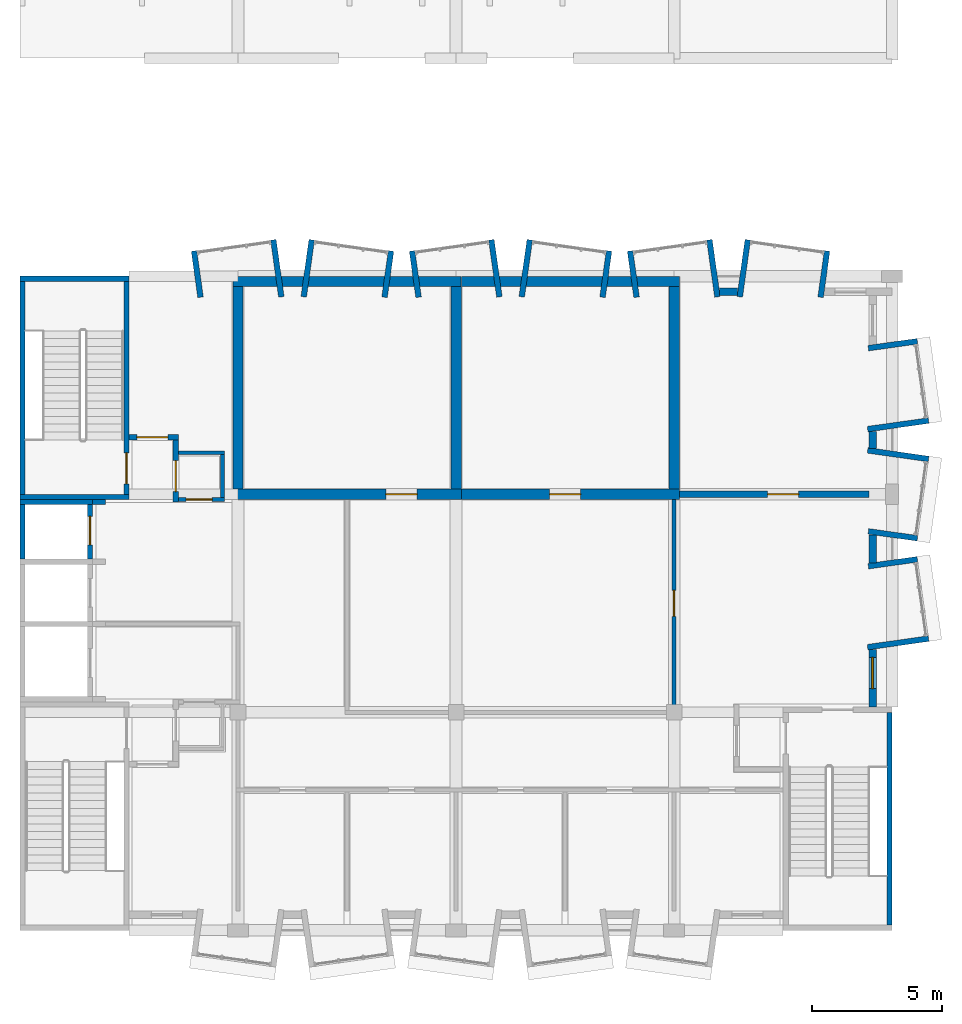
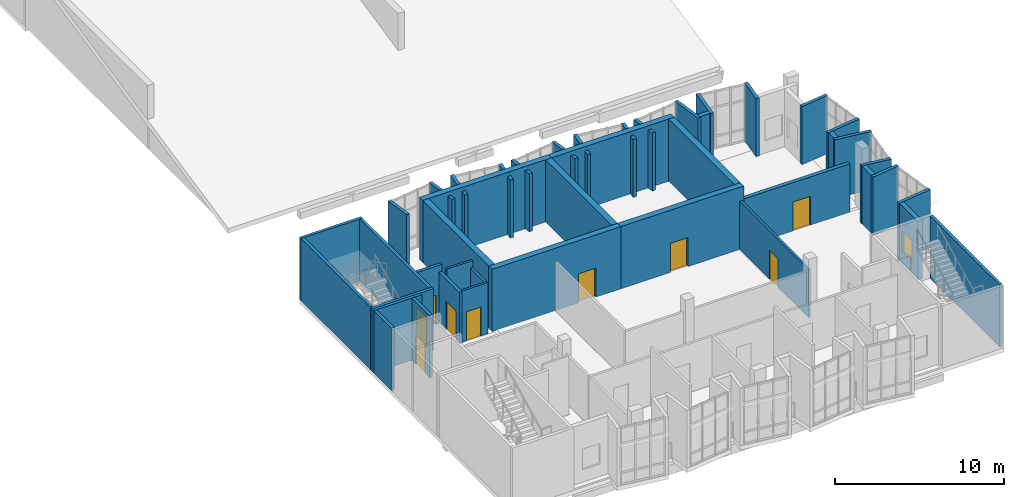
# One storey, part 12 of 19: 45 walls, 9 doors, 1 window, 10 openings.
"""IFC4 building model written with IfcOpenShell, lengths in metres."""

from ifc_helpers import new_model, si_unit, direction, frame, frame_2d, origin, place, context, subcontext, project, spatial, rectangle, extrude, material, layer, layer_set, type_object, element, fill, save


model = new_model("IFC4")

# Units and contexts
model_context = context("Model", 3, precision=1e-05, world=origin(), true_north=direction((0.0, 1.0)))
body_context = subcontext(model_context, "Body", "Model", "MODEL_VIEW")
ifc_project = project(units=[si_unit("LENGTHUNIT", "METRE"), si_unit("AREAUNIT", "SQUARE_METRE"), si_unit("VOLUMEUNIT", "CUBIC_METRE"), si_unit("PLANEANGLEUNIT", "RADIAN"), si_unit("MASSUNIT", "GRAM", prefix="KILO")], contexts=[model_context])

# Site, building, storey
site_placement = place(None, origin())
site = spatial("IfcSite", under=ifc_project, at=site_placement, CompositionType="ELEMENT")
building_placement = place(site_placement, origin())
building = spatial("IfcBuilding", under=site, at=building_placement, Name="Kiln Court Media Centre", CompositionType="ELEMENT")
storey_placement = place(building_placement, frame((0.0, 0.0, 29.10009765625)))
storey = spatial("IfcBuildingStorey", under=building, at=storey_placement, Name="L06", CompositionType="ELEMENT", Elevation=29.10009765625)

# Walls
ifc_material_1 = material(Name="Concrete block masonry M10", Category="masonry")
ifc_layer_1 = layer(ifc_material_1, 0.14990234375)
ifc_layer_set_1 = layer_set([ifc_layer_1], Name="Block riser wall 150 EI 120")
wall_type_1 = type_object("IfcWallType", Name="Block riser wall 150 EI 120", PredefinedType="SOLIDWALL", material=ifc_layer_set_1)
wall_1_placement = place(storey_placement, frame((6.10009765625, 18.39990234375, 0.0), z_axis=(0.0, 0.0, 1.0), x_axis=(1.0, 0.0, 0.0)))
element("IfcWall", 1, at=wall_1_placement, inside=storey, type_object=wall_type_1, Name="L06 block riser wall", PredefinedType="SOLIDWALL", context=body_context, shape_type="SweptSolid", body=[
    extrude(rectangle(XDim=1.77490234375, YDim=0.14990234375, at=frame_2d((0.887451171875, 0.0))), origin(), (0.0, 0.0, 1.0), 4.199951171875),
])
wall_2_placement = place(storey_placement, frame((7.800048828125, 16.675048828125, 0.0), z_axis=(0.0, 0.0, 1.0), x_axis=(0.0, 1.0, 0.0)))
element("IfcWall", 2, at=wall_2_placement, inside=storey, type_object=wall_type_1, Name="L06 block riser wall", PredefinedType="SOLIDWALL", context=body_context, shape_type="SweptSolid", body=[
    extrude(rectangle(XDim=1.64990234375, YDim=0.14990234375, at=frame_2d((0.824951171875, 0.0))), origin(), (0.0, 0.0, 1.0), 3.699951171875),
])

# Wall, opening, door
ifc_material_2 = material(Name="Concrete block masonry M10", Category="masonry")
ifc_layer_2 = layer(ifc_material_2, 0.199951171875)
ifc_layer_set_2 = layer_set([ifc_layer_2], Name="Block vestibule wall 200 EI 240")
wall_type_2 = type_object("IfcWallType", Name="Block vestibule wall 200 EI 240", PredefinedType="SOLIDWALL", material=ifc_layer_set_2)
wall_3_placement = place(storey_placement, frame((4.2001953125, 19.0, 0.0), z_axis=(0.0, 0.0, 1.0), x_axis=(1.0, 0.0, 0.0)))
wall_3 = element("IfcWall", 3, at=wall_3_placement, inside=storey, type_object=wall_type_2, Name="L06 block vestibule wall", PredefinedType="SOLIDWALL", context=body_context, shape_type="SweptSolid", body=[
    extrude(rectangle(XDim=1.89990234375, YDim=0.199951171875, at=frame_2d((0.949951171875, 0.0))), origin(), (0.0, 0.0, 1.0), 4.199951171875),
])
opening_1_placement = place(wall_3_placement, frame((0.2998046875, 0.0, 0.0)))
opening_1 = element("IfcOpeningElement", 4, at=opening_1_placement, cuts=wall_3, Name="Opening D6012", PredefinedType="OPENING", context=body_context, shape_type="SweptSolid", body=[
    extrude(rectangle(XDim=1.199951171875, YDim=2.10009765625, at=frame_2d((0.60009765625, 1.050048828125))), frame((0.0, 0.10986328125, 0.0), z_axis=(0.0, -1.0, 0.0), x_axis=(1.0, 0.0, 0.0)), (0.0, 0.0, 1.0), 0.219970703125),
])
ifc_material_3 = material(Name="Steel S275", Category="steel")
door_type_1 = type_object("IfcDoorType", Name="Steel vestibule door 1200 x 2100 FD180", OperationType="SINGLE_SWING_LEFT", PredefinedType="DOOR", material=ifc_material_3)
door_1_placement = place(opening_1_placement, origin())
door_1 = element("IfcDoor", 5, at=door_1_placement, inside=storey, type_object=door_type_1, Name="Cleaners' Store and Riser / Stair 2 Vestibule", OperationType="SINGLE_SWING_LEFT", OverallHeight=2.10009765625, OverallWidth=1.199951171875, PredefinedType="DOOR", context=body_context, shape_type="SweptSolid", body=[
    extrude(rectangle(XDim=1.199951171875, YDim=2.10009765625, at=frame_2d((0.60009765625, 1.050048828125))), frame((0.0, 0.02490234375, 0.0), z_axis=(0.0, -1.0, 0.0), x_axis=(1.0, 0.0, 0.0)), (0.0, 0.0, 1.0), 0.050048828125),
])
fill(opening_1, door_1)

wall_4_placement = place(storey_placement, frame((6.0, 16.5, 0.0), z_axis=(0.0, 0.0, 1.0), x_axis=(0.0, 1.0, 0.0)))
wall_4 = element("IfcWall", 6, at=wall_4_placement, inside=storey, type_object=wall_type_2, Name="L06 block vestibule wall", PredefinedType="SOLIDWALL", context=body_context, shape_type="SweptSolid", body=[
    extrude(rectangle(XDim=2.39990234375, YDim=0.199951171875, at=frame_2d((1.199951171875, 0.0))), origin(), (0.0, 0.0, 1.0), 3.699951171875),
])
opening_2_placement = place(wall_4_placement, frame((0.39990234375, 0.0, 0.0)))
opening_2 = element("IfcOpeningElement", 7, at=opening_2_placement, cuts=wall_4, Name="Opening D6013", PredefinedType="OPENING", context=body_context, shape_type="SweptSolid", body=[
    extrude(rectangle(XDim=1.199951171875, YDim=2.10009765625, at=frame_2d((0.60009765625, 1.050048828125))), frame((0.0, 0.10986328125, 0.0), z_axis=(0.0, -1.0, 0.0), x_axis=(1.0, 0.0, 0.0)), (0.0, 0.0, 1.0), 0.219970703125),
])
door_2_placement = place(opening_2_placement, origin())
door_2 = element("IfcDoor", 8, at=door_2_placement, inside=storey, type_object=door_type_1, Name="Stair 2 Vestibule / Wheelchair Refuge", OperationType="SINGLE_SWING_RIGHT", OverallHeight=2.10009765625, OverallWidth=1.199951171875, PredefinedType="DOOR", context=body_context, shape_type="SweptSolid", body=[
    extrude(rectangle(XDim=1.199951171875, YDim=2.10009765625, at=frame_2d((0.60009765625, 1.050048828125))), frame((0.0, 0.02490234375, 0.0), z_axis=(0.0, -1.0, 0.0), x_axis=(1.0, 0.0, 0.0)), (0.0, 0.0, 1.0), 0.050048828125),
])
fill(opening_2, door_2)

# Walls
ifc_material_4 = material(Name="Brick masonry facing leaf with RC backing", Category="masonry")
ifc_layer_3 = layer(ifc_material_4, 0.215087890625)
ifc_layer_set_3 = layer_set([ifc_layer_3], Name="Brick masonry bay cheek wall 215")
wall_type_3 = type_object("IfcWallType", Name="Brick masonry bay cheek wall 215", PredefinedType="SOLIDWALL", material=ifc_layer_set_3)
wall_5_placement = place(storey_placement, frame((32.655029296875, 10.909423828125, 0.0), z_axis=(0.0, 0.0, 1.0), x_axis=(0.990262124675, 0.139215388641, 0.0)))
element("IfcWall", 9, at=wall_5_placement, inside=storey, type_object=wall_type_3, Name="BAY V6A-E-L06-09 cheek L", PredefinedType="SOLIDWALL", context=body_context, shape_type="SweptSolid", body=[
    extrude(rectangle(XDim=2.37109375, YDim=0.215087890625, at=frame_2d((1.185546875, 0.0))), origin(), (0.0, 0.0, 1.0), 4.199951171875),
])
for number, where, z_axis, x_axis, name in (
    (10, (32.68505859375, 14.029052734375, 0.0), (0.0, 0.0, 1.0), (0.990269539441, 0.139162635989, 0.0), "BAY V6A-E-L06-09 cheek R"),
    (11, (32.68505859375, 15.370849609375, 0.0), (0.0, 0.0, 1.0), (0.990269539441, -0.139162635989, 0.0), "BAY V6A-E-L06-10 cheek L"),
):
    element("IfcWall", number, at=place(storey_placement, frame(where, z_axis=z_axis, x_axis=x_axis)), inside=storey, type_object=wall_type_3, Name=name, PredefinedType="SOLIDWALL", context=body_context, shape_type="SweptSolid", body=[
        extrude(rectangle(XDim=1.906982421875, YDim=0.215087890625, at=frame_2d((0.95361328125, 0.0))), origin(), (0.0, 0.0, 1.0), 4.199951171875),
    ])
wall_6_placement = place(storey_placement, frame((32.655029296875, 18.490478515625, 0.0), z_axis=(0.0, 0.0, 1.0), x_axis=(0.990262124675, -0.139215388641, 0.0)))
element("IfcWall", 12, at=wall_6_placement, inside=storey, type_object=wall_type_3, Name="BAY V6A-E-L06-10 cheek R", PredefinedType="SOLIDWALL", context=body_context, shape_type="SweptSolid", body=[
    extrude(rectangle(XDim=2.37109375, YDim=0.215087890625, at=frame_2d((1.185546875, 0.0))), origin(), (0.0, 0.0, 1.0), 4.199951171875),
])
wall_7_placement = place(storey_placement, frame((32.655029296875, 19.3095703125, 0.0), z_axis=(0.0, 0.0, 1.0), x_axis=(0.990276315141, 0.139114412161, 0.0)))
element("IfcWall", 13, at=wall_7_placement, inside=storey, type_object=wall_type_3, Name="BAY V6A-E-L06-11 cheek L", PredefinedType="SOLIDWALL", context=body_context, shape_type="SweptSolid", body=[
    extrude(rectangle(XDim=2.370849609375, YDim=0.215087890625, at=frame_2d((1.185546875, 0.0))), origin(), (0.0, 0.0, 1.0), 4.199951171875),
])
wall_8_placement = place(storey_placement, frame((32.68505859375, 22.42919921875, 0.0), z_axis=(0.0, 0.0, 1.0), x_axis=(0.990269539441, 0.139162635989, 0.0)))
element("IfcWall", 14, at=wall_8_placement, inside=storey, type_object=wall_type_3, Name="BAY V6A-E-L06-11 cheek R", PredefinedType="SOLIDWALL", context=body_context, shape_type="SweptSolid", body=[
    extrude(rectangle(XDim=1.906982421875, YDim=0.215087890625, at=frame_2d((0.95361328125, 0.0))), origin(), (0.0, 0.0, 1.0), 4.199951171875),
])
wall_9_placement = place(storey_placement, frame((6.9560546875, 24.39111328125, 0.0), z_axis=(0.0, 0.0, 1.0), x_axis=(-0.139161311926, 0.990269725511, 0.0)))
element("IfcWall", 15, at=wall_9_placement, inside=storey, type_object=wall_type_3, Name="BAY V6A-N-L06-38 cheek L", PredefinedType="SOLIDWALL", context=body_context, shape_type="SweptSolid", body=[
    extrude(rectangle(XDim=1.800048828125, YDim=0.215087890625, at=frame_2d((0.89990234375, 0.0))), origin(), (0.0, 0.0, 1.0), 4.199951171875),
])
for number, where, z_axis, x_axis, name in (
    (16, (10.0693359375, 24.405029296875, 0.0), (0.0, 0.0, 1.0), (-0.139141913905, 0.990272451295, 0.0), "BAY V6A-N-L06-38 cheek R"),
    (17, (10.9306640625, 24.405029296875, 0.0), (0.0, 0.0, 1.0), (0.139141913905, 0.990272451295, 0.0), "BAY V6A-N-L06-39 cheek L"),
):
    element("IfcWall", number, at=place(storey_placement, frame(where, z_axis=z_axis, x_axis=x_axis)), inside=storey, type_object=wall_type_3, Name=name, PredefinedType="SOLIDWALL", context=body_context, shape_type="SweptSolid", body=[
        extrude(rectangle(XDim=2.219482421875, YDim=0.215087890625, at=frame_2d((1.10986328125, 0.0))), origin(), (0.0, 0.0, 1.0), 4.199951171875),
    ])
for number, where, z_axis, x_axis, name in (
    (18, (14.0439453125, 24.39111328125, 0.0), (0.0, 0.0, 1.0), (0.139161311926, 0.990269725511, 0.0), "BAY V6A-N-L06-39 cheek R"),
    (19, (15.35595703125, 24.39111328125, 0.0), (0.0, 0.0, 1.0), (-0.139161311926, 0.990269725511, 0.0), "BAY V6A-N-L06-40 cheek L"),
):
    element("IfcWall", number, at=place(storey_placement, frame(where, z_axis=z_axis, x_axis=x_axis)), inside=storey, type_object=wall_type_3, Name=name, PredefinedType="SOLIDWALL", context=body_context, shape_type="SweptSolid", body=[
        extrude(rectangle(XDim=1.800048828125, YDim=0.215087890625, at=frame_2d((0.89990234375, 0.0))), origin(), (0.0, 0.0, 1.0), 4.199951171875),
    ])
wall_10_placement = place(storey_placement, frame((18.469482421875, 24.405029296875, 0.0), z_axis=(0.0, 0.0, 1.0), x_axis=(-0.139249775508, 0.99025728981, 0.0)))
element("IfcWall", 20, at=wall_10_placement, inside=storey, type_object=wall_type_3, Name="BAY V6A-N-L06-40 cheek R", PredefinedType="SOLIDWALL", context=body_context, shape_type="SweptSolid", body=[
    extrude(rectangle(XDim=2.2197265625, YDim=0.215087890625, at=frame_2d((1.10986328125, 0.0))), origin(), (0.0, 0.0, 1.0), 4.199951171875),
])
wall_11_placement = place(storey_placement, frame((19.33056640625, 24.405029296875, 0.0), z_axis=(0.0, 0.0, 1.0), x_axis=(0.139141913905, 0.990272451295, 0.0)))
element("IfcWall", 21, at=wall_11_placement, inside=storey, type_object=wall_type_3, Name="BAY V6A-N-L06-41 cheek L", PredefinedType="SOLIDWALL", context=body_context, shape_type="SweptSolid", body=[
    extrude(rectangle(XDim=2.219482421875, YDim=0.215087890625, at=frame_2d((1.10986328125, 0.0))), origin(), (0.0, 0.0, 1.0), 4.199951171875),
])
for number, where, z_axis, x_axis, name in (
    (22, (22.444091796875, 24.39111328125, 0.0), (0.0, 0.0, 1.0), (0.139161311926, 0.990269725511, 0.0), "BAY V6A-N-L06-41 cheek R"),
    (23, (23.756103515625, 24.39111328125, 0.0), (0.0, 0.0, 1.0), (-0.139161311926, 0.990269725511, 0.0), "BAY V6A-N-L06-42 cheek L"),
):
    element("IfcWall", number, at=place(storey_placement, frame(where, z_axis=z_axis, x_axis=x_axis)), inside=storey, type_object=wall_type_3, Name=name, PredefinedType="SOLIDWALL", context=body_context, shape_type="SweptSolid", body=[
        extrude(rectangle(XDim=1.800048828125, YDim=0.215087890625, at=frame_2d((0.89990234375, 0.0))), origin(), (0.0, 0.0, 1.0), 4.199951171875),
    ])
for number, where, z_axis, x_axis, name in (
    (24, (26.869384765625, 24.405029296875, 0.0), (0.0, 0.0, 1.0), (-0.139141913905, 0.990272451295, 0.0), "BAY V6A-N-L06-42 cheek R"),
    (25, (27.730712890625, 24.405029296875, 0.0), (0.0, 0.0, 1.0), (0.139141913905, 0.990272451295, 0.0), "BAY V6A-N-L06-43 cheek L"),
):
    element("IfcWall", number, at=place(storey_placement, frame(where, z_axis=z_axis, x_axis=x_axis)), inside=storey, type_object=wall_type_3, Name=name, PredefinedType="SOLIDWALL", context=body_context, shape_type="SweptSolid", body=[
        extrude(rectangle(XDim=2.219482421875, YDim=0.215087890625, at=frame_2d((1.10986328125, 0.0))), origin(), (0.0, 0.0, 1.0), 4.199951171875),
    ])
wall_12_placement = place(storey_placement, frame((30.843994140625, 24.39111328125, 0.0), z_axis=(0.0, 0.0, 1.0), x_axis=(0.139161311926, 0.990269725511, 0.0)))
element("IfcWall", 26, at=wall_12_placement, inside=storey, type_object=wall_type_3, Name="BAY V6A-N-L06-43 cheek R", PredefinedType="SOLIDWALL", context=body_context, shape_type="SweptSolid", body=[
    extrude(rectangle(XDim=1.800048828125, YDim=0.215087890625, at=frame_2d((0.89990234375, 0.0))), origin(), (0.0, 0.0, 1.0), 4.199951171875),
])

# Wall, opening, window
ifc_material_5 = material(Name="Brick masonry facing leaf with RC backing", Category="masonry")
ifc_layer_4 = layer(ifc_material_5, 0.300048828125)
ifc_layer_set_4 = layer_set([ifc_layer_4], Name="Brick masonry cavity wall 300")
wall_type_4 = type_object("IfcWallType", Name="Brick masonry cavity wall 300", PredefinedType="SOLIDWALL", material=ifc_layer_set_4)
wall_13_placement = place(storey_placement, frame((32.85009765625, 10.828369140625, 0.0), z_axis=(0.0, 0.0, 1.0), x_axis=(0.0, -1.0, 0.0)))
wall_13 = element("IfcWall", 27, at=wall_13_placement, inside=storey, type_object=wall_type_4, Name="V6A-E facade L06 3006", PredefinedType="SOLIDWALL", context=body_context, shape_type="SweptSolid", body=[
    extrude(rectangle(XDim=2.228271484375, YDim=0.300048828125, at=frame_2d((1.1142578125, 0.0))), origin(), (0.0, 0.0, 1.0), 4.199951171875),
])
opening_3_placement = place(wall_13_placement, frame((0.314208984375, 0.0, 0.89990234375)))
opening_3 = element("IfcOpeningElement", 28, at=opening_3_placement, cuts=wall_13, Name="Opening WN6001", PredefinedType="OPENING", context=body_context, shape_type="SweptSolid", body=[
    extrude(rectangle(XDim=1.199951171875, YDim=1.5, at=frame_2d((0.60009765625, 0.75))), frame((0.0, 0.159912109375, 0.0), z_axis=(0.0, -1.0, 0.0), x_axis=(1.0, 0.0, 0.0)), (0.0, 0.0, 1.0), 0.320068359375),
])
ifc_material_6 = material(Name="Aluminium 6063-T6", Category="aluminium")
window_type = type_object("IfcWindowType", Name="Aluminium window 1200x1500", PartitioningType="DOUBLE_PANEL_VERTICAL", PredefinedType="WINDOW", material=ifc_material_6)
window_placement = place(opening_3_placement, origin())
window = element("IfcWindow", 29, at=window_placement, inside=storey, type_object=window_type, Name="WB window WN6001", OverallHeight=1.5, OverallWidth=1.199951171875, PartitioningType="SINGLE_PANEL", PredefinedType="WINDOW", context=body_context, shape_type="SweptSolid", body=[
    extrude(rectangle(XDim=1.199951171875, YDim=1.5, at=frame_2d((0.60009765625, 0.75))), frame((0.0, 0.030029296875, 0.0), z_axis=(0.0, -1.0, 0.0), x_axis=(1.0, 0.0, 0.0)), (0.0, 0.0, 1.0), 0.06005859375),
])
fill(opening_3, window)

# Walls
wall_14_placement = place(storey_placement, frame((32.85009765625, 15.2392578125, 0.0), z_axis=(0.0, 0.0, 1.0), x_axis=(0.0, -1.0, 0.0)))
element("IfcWall", 30, at=wall_14_placement, inside=storey, type_object=wall_type_4, Name="V6A-E facade L06 3007", PredefinedType="SOLIDWALL", context=body_context, shape_type="SweptSolid", body=[
    extrude(rectangle(XDim=1.078369140625, YDim=0.300048828125, at=frame_2d((0.5390625, 0.0))), origin(), (0.0, 0.0, 1.0), 4.199951171875),
])
wall_15_placement = place(storey_placement, frame((32.85009765625, 19.228515625, 0.0), z_axis=(0.0, 0.0, 1.0), x_axis=(0.0, -1.0, 0.0)))
element("IfcWall", 31, at=wall_15_placement, inside=storey, type_object=wall_type_4, Name="V6A-E facade L06 3008", PredefinedType="SOLIDWALL", context=body_context, shape_type="SweptSolid", body=[
    extrude(rectangle(XDim=0.656982421875, YDim=0.300048828125, at=frame_2d((0.32861328125, 0.0))), origin(), (0.0, 0.0, 1.0), 4.199951171875),
])
wall_16_placement = place(storey_placement, frame((26.950439453125, 24.60009765625, 0.0), z_axis=(0.0, 0.0, 1.0), x_axis=(1.0, 0.0, 0.0)))
element("IfcWall", 32, at=wall_16_placement, inside=storey, type_object=wall_type_4, Name="V6A-N facade L06 3022", PredefinedType="SOLIDWALL", context=body_context, shape_type="SweptSolid", body=[
    extrude(rectangle(XDim=0.698974609375, YDim=0.300048828125, at=frame_2d((0.349609375, 0.0))), origin(), (0.0, 0.0, 1.0), 4.199951171875),
])
ifc_material_7 = material(Name="Concrete C40/50", Category="concrete")
ifc_layer_5 = layer(ifc_material_7, 0.199951171875)
ifc_layer_set_5 = layer_set([ifc_layer_5], Name="Concrete C40/50 shear wall 200")
wall_type_5 = type_object("IfcWallType", Name="Concrete C40/50 shear wall 200", PredefinedType="SHEAR", material=ifc_layer_set_5)
for number, where, z_axis, x_axis, name in (
    (33, (4.199951171875, 16.699951171875, 0.0), (0.0, 0.0, 1.0), (-1.0, 0.0, 0.0), "L06-W-1004"),
    (34, (0.00048828125, 25.10009765625, 0.0), (0.0, 0.0, 1.0), (1.0, 0.0, 0.0), "L06-W-1005"),
):
    element("IfcWall", number, at=place(storey_placement, frame(where, z_axis=z_axis, x_axis=x_axis)), inside=storey, type_object=wall_type_5, Name=name, PredefinedType="SHEAR", context=body_context, shape_type="SweptSolid", body=[
        extrude(rectangle(XDim=4.199462890625, YDim=0.199951171875, at=frame_2d((2.099609375, 0.0))), origin(), (0.0, 0.0, 1.0), 4.5),
    ])
wall_17_placement = place(storey_placement, frame((0.100341796875, 16.800048828125, 0.0), z_axis=(0.0, 0.0, 1.0), x_axis=(0.0, 1.0, 0.0)))
element("IfcWall", 35, at=wall_17_placement, inside=storey, type_object=wall_type_5, Name="L06-W-1006", PredefinedType="SHEAR", context=body_context, shape_type="SweptSolid", body=[
    extrude(rectangle(XDim=8.199951171875, YDim=0.199951171875, at=frame_2d((4.10009765625, 0.0))), origin(), (0.0, 0.0, 1.0), 4.5),
])

# Wall, opening, door
wall_18_placement = place(storey_placement, frame((4.10009765625, 25.0, 0.0), z_axis=(0.0, 0.0, 1.0), x_axis=(0.0, -1.0, 0.0)))
wall_18 = element("IfcWall", 36, at=wall_18_placement, inside=storey, type_object=wall_type_5, Name="L06-W-1007", PredefinedType="SHEAR", context=body_context, shape_type="SweptSolid", body=[
    extrude(rectangle(XDim=8.199951171875, YDim=0.199951171875, at=frame_2d((4.10009765625, 0.0))), origin(), (0.0, 0.0, 1.0), 4.5),
])
opening_4_placement = place(wall_18_placement, frame((6.60009765625, 0.0, 0.0)))
opening_4 = element("IfcOpeningElement", 37, at=opening_4_placement, cuts=wall_18, Name="Opening D6005", PredefinedType="OPENING", context=body_context, shape_type="SweptSolid", body=[
    extrude(rectangle(XDim=1.199951171875, YDim=2.10009765625, at=frame_2d((0.60009765625, 1.050048828125))), frame((0.0, 0.10986328125, 0.0), z_axis=(0.0, -1.0, 0.0), x_axis=(1.0, 0.0, 0.0)), (0.0, 0.0, 1.0), 0.219970703125),
])
ifc_material_8 = material(Name="Steel S275", Category="steel")
door_type_2 = type_object("IfcDoorType", Name="Steel stair door 1200 x 2100 FD180", OperationType="SINGLE_SWING_LEFT", PredefinedType="DOOR", material=ifc_material_8)
door_3_placement = place(opening_4_placement, origin())
door_3 = element("IfcDoor", 38, at=door_3_placement, inside=storey, type_object=door_type_2, Name="Stair 2 / Stair 2 Vestibule", OperationType="SINGLE_SWING_RIGHT", OverallHeight=2.10009765625, OverallWidth=1.199951171875, PredefinedType="DOOR", context=body_context, shape_type="SweptSolid", body=[
    extrude(rectangle(XDim=1.199951171875, YDim=2.10009765625, at=frame_2d((0.60009765625, 1.050048828125))), frame((0.0, 0.02490234375, 0.0), z_axis=(0.0, -1.0, 0.0), x_axis=(1.0, 0.0, 0.0)), (0.0, 0.0, 1.0), 0.050048828125),
])
fill(opening_4, door_3)

# Walls
wall_19_placement = place(storey_placement, frame((33.5, 8.39990234375, 0.0), z_axis=(0.0, 0.0, 1.0), x_axis=(0.0, -1.0, 0.0)))
element("IfcWall", 39, at=wall_19_placement, inside=storey, type_object=wall_type_5, Name="L06-W-1011", PredefinedType="SHEAR", context=body_context, shape_type="SweptSolid", body=[
    extrude(rectangle(XDim=8.199951171875, YDim=0.199951171875, at=frame_2d((4.10009765625, 0.0))), origin(), (0.0, 0.0, 1.0), 4.5),
])
wall_20_placement = place(storey_placement, frame((0.00048828125, 16.5, 0.0), z_axis=(0.0, 0.0, 1.0), x_axis=(1.0, 0.0, 0.0)))
element("IfcWall", 40, at=wall_20_placement, inside=storey, type_object=wall_type_5, Name="L06-W-1030", PredefinedType="SHEAR", context=body_context, shape_type="SweptSolid", body=[
    extrude(rectangle(XDim=2.799560546875, YDim=0.199951171875, at=frame_2d((1.39990234375, 0.0))), origin(), (0.0, 0.0, 1.0), 4.5),
])
wall_21_placement = place(storey_placement, frame((0.100341796875, 14.300048828125, 0.0), z_axis=(0.0, 0.0, 1.0), x_axis=(0.0, 1.0, 0.0)))
element("IfcWall", 41, at=wall_21_placement, inside=storey, type_object=wall_type_5, Name="L06-W-1031", PredefinedType="SHEAR", context=body_context, shape_type="SweptSolid", body=[
    extrude(rectangle(XDim=2.099853515625, YDim=0.199951171875, at=frame_2d((1.0498046875, 0.0))), origin(), (0.0, 0.0, 1.0), 4.5),
])

# Wall, opening, door
wall_22_placement = place(storey_placement, frame((2.699951171875, 16.39990234375, 0.0), z_axis=(0.0, 0.0, 1.0), x_axis=(0.0, -1.0, 0.0)))
wall_22 = element("IfcWall", 42, at=wall_22_placement, inside=storey, type_object=wall_type_5, Name="L06-W-1032", PredefinedType="SHEAR", context=body_context, shape_type="SweptSolid", body=[
    extrude(rectangle(XDim=2.099853515625, YDim=0.199951171875, at=frame_2d((1.0498046875, 0.0))), origin(), (0.0, 0.0, 1.0), 4.5),
])
opening_5_placement = place(wall_22_placement, frame((0.449951171875, 0.0, 0.0)))
opening_5 = element("IfcOpeningElement", 43, at=opening_5_placement, cuts=wall_22, Name="Opening LD603", PredefinedType="OPENING", context=body_context, shape_type="SweptSolid", body=[
    extrude(rectangle(XDim=1.10009765625, YDim=2.10009765625, at=frame_2d((0.550048828125, 1.050048828125))), frame((0.0, 0.10986328125, 0.0), z_axis=(0.0, -1.0, 0.0), x_axis=(1.0, 0.0, 0.0)), (0.0, 0.0, 1.0), 0.219970703125),
])
ifc_material_9 = material(Name="Stainless steel", Category="steel")
door_type_3 = type_object("IfcDoorType", Name="Lift landing door 1100 x 2100 FD120", OperationType="SLIDING_TO_LEFT", PredefinedType="DOOR", material=ifc_material_9)
door_4_placement = place(opening_5_placement, origin())
door_4 = element("IfcDoor", 44, at=door_4_placement, inside=storey, type_object=door_type_3, Name="LF-03 landing door L06", OperationType="SLIDING_TO_LEFT", OverallHeight=2.10009765625, OverallWidth=1.10009765625, PredefinedType="DOOR", context=body_context, shape_type="SweptSolid", body=[
    extrude(rectangle(XDim=1.10009765625, YDim=2.10009765625, at=frame_2d((0.550048828125, 1.050048828125))), frame((0.0, 0.02490234375, 0.0), z_axis=(0.0, -1.0, 0.0), x_axis=(1.0, 0.0, 0.0)), (0.0, 0.0, 1.0), 0.050048828125),
])
fill(opening_5, door_4)

# Wall
wall_23_placement = place(storey_placement, frame((2.800048828125, 16.5, 0.0), z_axis=(0.0, 0.0, 1.0), x_axis=(1.0, 0.0, 0.0)))
element("IfcWall", 45, at=wall_23_placement, inside=storey, type_object=wall_type_5, Name="L06-W-1063", PredefinedType="SHEAR", context=body_context, shape_type="SweptSolid", body=[
    extrude(rectangle(XDim=0.5, YDim=0.199951171875, at=frame_2d((0.25, 0.0))), origin(), (0.0, 0.0, 1.0), 4.5),
])

# Wall, opening, door
ifc_material_10 = material(Name="Concrete C40/50", Category="concrete")
ifc_layer_6 = layer(ifc_material_10, 0.39990234375)
ifc_layer_set_6 = layer_set([ifc_layer_6], Name="Concrete C40/50 studio wall 400")
wall_type_6 = type_object("IfcWallType", Name="Concrete C40/50 studio wall 400", PredefinedType="SHEAR", material=ifc_layer_set_6)
wall_24_placement = place(storey_placement, frame((17.0, 16.800048828125, 0.0), z_axis=(0.0, 0.0, 1.0), x_axis=(-1.0, 0.0, 0.0)))
wall_24 = element("IfcWall", 46, at=wall_24_placement, inside=storey, type_object=wall_type_6, Name="L06-W-1046", PredefinedType="SHEAR", context=body_context, shape_type="SweptSolid", body=[
    extrude(rectangle(XDim=8.800048828125, YDim=0.39990234375, at=frame_2d((4.39990234375, 0.0))), origin(), (0.0, 0.0, 1.0), 4.5),
])
opening_6_placement = place(wall_24_placement, frame((1.699951171875, 0.0, 0.0)))
opening_6 = element("IfcOpeningElement", 47, at=opening_6_placement, cuts=wall_24, Name="Opening D6020", PredefinedType="OPENING", context=body_context, shape_type="SweptSolid", body=[
    extrude(rectangle(XDim=1.199951171875, YDim=2.10009765625, at=frame_2d((0.60009765625, 1.050048828125))), frame((0.0, 0.2099609375, 0.0), z_axis=(0.0, -1.0, 0.0), x_axis=(1.0, 0.0, 0.0)), (0.0, 0.0, 1.0), 0.419921875),
])
ifc_material_11 = material(Name="Steel S275", Category="steel")
door_type_4 = type_object("IfcDoorType", Name="Acoustic studio door 1200 x 2100 FD180", OperationType="SINGLE_SWING_LEFT", PredefinedType="DOOR", material=ifc_material_11)
door_5_placement = place(opening_6_placement, origin())
door_5 = element("IfcDoor", 48, at=door_5_placement, inside=storey, type_object=door_type_4, Name="Production Floor / Dubbing Theatre", OperationType="SINGLE_SWING_LEFT", OverallHeight=2.10009765625, OverallWidth=1.199951171875, PredefinedType="DOOR", context=body_context, shape_type="SweptSolid", body=[
    extrude(rectangle(XDim=1.199951171875, YDim=2.10009765625, at=frame_2d((0.60009765625, 1.050048828125))), frame((0.0, 0.02490234375, 0.0), z_axis=(0.0, -1.0, 0.0), x_axis=(1.0, 0.0, 0.0)), (0.0, 0.0, 1.0), 0.050048828125),
])
fill(opening_6, door_5)

# Walls
wall_25_placement = place(storey_placement, frame((8.199951171875, 25.0, 0.0), z_axis=(0.0, 0.0, 1.0), x_axis=(1.0, 0.0, 0.0)))
element("IfcWall", 49, at=wall_25_placement, inside=storey, type_object=wall_type_6, Name="L06-W-1047", PredefinedType="SHEAR", context=body_context, shape_type="SweptSolid", body=[
    extrude(rectangle(XDim=8.800048828125, YDim=0.39990234375, at=frame_2d((4.39990234375, 0.0))), origin(), (0.0, 0.0, 1.0), 4.5),
])
for number, where, z_axis, x_axis, name in (
    (50, (8.39990234375, 17.0, 0.0), (0.0, 0.0, 1.0), (0.0, 1.0, 0.0), "L06-W-1048"),
    (51, (16.800048828125, 24.800048828125, 0.0), (0.0, 0.0, 1.0), (0.0, -1.0, 0.0), "L06-W-1049"),
):
    element("IfcWall", number, at=place(storey_placement, frame(where, z_axis=z_axis, x_axis=x_axis)), inside=storey, type_object=wall_type_6, Name=name, PredefinedType="SHEAR", context=body_context, shape_type="SweptSolid", body=[
        extrude(rectangle(XDim=7.800048828125, YDim=0.39990234375, at=frame_2d((3.89990234375, 0.0))), origin(), (0.0, 0.0, 1.0), 4.5),
    ])

# Wall, opening, door
wall_26_placement = place(storey_placement, frame((25.39990234375, 16.800048828125, 0.0), z_axis=(0.0, 0.0, 1.0), x_axis=(-1.0, 0.0, 0.0)))
wall_26 = element("IfcWall", 52, at=wall_26_placement, inside=storey, type_object=wall_type_6, Name="L06-W-1050", PredefinedType="SHEAR", context=body_context, shape_type="SweptSolid", body=[
    extrude(rectangle(XDim=8.39990234375, YDim=0.39990234375, at=frame_2d((4.199951171875, 0.0))), origin(), (0.0, 0.0, 1.0), 4.5),
])
opening_7_placement = place(wall_26_placement, frame((3.7998046875, 0.0, 0.0)))
opening_7 = element("IfcOpeningElement", 53, at=opening_7_placement, cuts=wall_26, Name="Opening D6021", PredefinedType="OPENING", context=body_context, shape_type="SweptSolid", body=[
    extrude(rectangle(XDim=1.199951171875, YDim=2.10009765625, at=frame_2d((0.60009765625, 1.050048828125))), frame((0.0, 0.2099609375, 0.0), z_axis=(0.0, -1.0, 0.0), x_axis=(1.0, 0.0, 0.0)), (0.0, 0.0, 1.0), 0.419921875),
])
door_6_placement = place(opening_7_placement, origin())
door_6 = element("IfcDoor", 54, at=door_6_placement, inside=storey, type_object=door_type_4, Name="Production Floor / Foley Stage", OperationType="SINGLE_SWING_RIGHT", OverallHeight=2.10009765625, OverallWidth=1.199951171875, PredefinedType="DOOR", context=body_context, shape_type="SweptSolid", body=[
    extrude(rectangle(XDim=1.199951171875, YDim=2.10009765625, at=frame_2d((0.60009765625, 1.050048828125))), frame((0.0, 0.02490234375, 0.0), z_axis=(0.0, -1.0, 0.0), x_axis=(1.0, 0.0, 0.0)), (0.0, 0.0, 1.0), 0.050048828125),
])
fill(opening_7, door_6)

# Walls
wall_27_placement = place(storey_placement, frame((17.0, 25.0, 0.0), z_axis=(0.0, 0.0, 1.0), x_axis=(1.0, 0.0, 0.0)))
element("IfcWall", 55, at=wall_27_placement, inside=storey, type_object=wall_type_6, Name="L06-W-1051", PredefinedType="SHEAR", context=body_context, shape_type="SweptSolid", body=[
    extrude(rectangle(XDim=8.39990234375, YDim=0.39990234375, at=frame_2d((4.199951171875, 0.0))), origin(), (0.0, 0.0, 1.0), 4.5),
])
wall_28_placement = place(storey_placement, frame((25.199951171875, 24.800048828125, 0.0), z_axis=(0.0, 0.0, 1.0), x_axis=(0.0, -1.0, 0.0)))
element("IfcWall", 56, at=wall_28_placement, inside=storey, type_object=wall_type_6, Name="L06-W-1052", PredefinedType="SHEAR", context=body_context, shape_type="SweptSolid", body=[
    extrude(rectangle(XDim=7.800048828125, YDim=0.39990234375, at=frame_2d((3.89990234375, 0.0))), origin(), (0.0, 0.0, 1.0), 4.5),
])

# Wall, opening, door
ifc_material_12 = material(Name="Gypsum plasterboard", Category="gypsum")
ifc_layer_7 = layer(ifc_material_12, 0.25)
ifc_layer_set_7 = layer_set([ifc_layer_7], Name="Double-leaf acoustic wall 250 EI 120")
wall_type_7 = type_object("IfcWallType", Name="Double-leaf acoustic wall 250 EI 120", PredefinedType="PARTITIONING", material=ifc_layer_set_7)
wall_29_placement = place(storey_placement, frame((25.39990234375, 16.800048828125, 0.0), z_axis=(0.0, 0.0, 1.0), x_axis=(1.0, 0.0, 0.0)))
wall_29 = element("IfcWall", 57, at=wall_29_placement, inside=storey, type_object=wall_type_7, Name="L06 double-leaf acoustic wall", PredefinedType="PARTITIONING", context=body_context, shape_type="SweptSolid", body=[
    extrude(rectangle(XDim=7.300048828125, YDim=0.25, at=frame_2d((3.64990234375, 0.0))), origin(), (0.0, 0.0, 1.0), 3.5),
])
opening_8_placement = place(wall_29_placement, frame((3.400146484375, 0.0, 0.0)))
opening_8 = element("IfcOpeningElement", 58, at=opening_8_placement, cuts=wall_29, Name="Opening D6011", PredefinedType="OPENING", context=body_context, shape_type="SweptSolid", body=[
    extrude(rectangle(XDim=1.199951171875, YDim=2.10009765625, at=frame_2d((0.60009765625, 1.050048828125))), frame((0.0, 0.135009765625, 0.0), z_axis=(0.0, -1.0, 0.0), x_axis=(1.0, 0.0, 0.0)), (0.0, 0.0, 1.0), 0.27001953125),
])
door_7_placement = place(opening_8_placement, origin())
door_7 = element("IfcDoor", 59, at=door_7_placement, inside=storey, type_object=door_type_4, Name="East Lobby / Voice Booths", OperationType="SINGLE_SWING_LEFT", OverallHeight=2.10009765625, OverallWidth=1.199951171875, PredefinedType="DOOR", context=body_context, shape_type="SweptSolid", body=[
    extrude(rectangle(XDim=1.199951171875, YDim=2.10009765625, at=frame_2d((0.60009765625, 1.050048828125))), frame((0.0, 0.02490234375, 0.0), z_axis=(0.0, -1.0, 0.0), x_axis=(1.0, 0.0, 0.0)), (0.0, 0.0, 1.0), 0.050048828125),
])
fill(opening_8, door_7)

ifc_material_13 = material(Name="Gypsum plasterboard", Category="gypsum")
ifc_layer_8 = layer(ifc_material_13, 0.14990234375)
ifc_layer_set_8 = layer_set([ifc_layer_8], Name="Gypsum corridor partition 150 EI 60")
wall_type_8 = type_object("IfcWallType", Name="Gypsum corridor partition 150 EI 60", PredefinedType="PARTITIONING", material=ifc_layer_set_8)
wall_30_placement = place(storey_placement, frame((6.10009765625, 16.60009765625, 0.0), z_axis=(0.0, 0.0, 1.0), x_axis=(1.0, 0.0, 0.0)))
wall_30 = element("IfcWall", 60, at=wall_30_placement, inside=storey, type_object=wall_type_8, Name="L06 gypsum corridor partition", PredefinedType="PARTITIONING", context=body_context, shape_type="SweptSolid", body=[
    extrude(rectangle(XDim=1.77490234375, YDim=0.14990234375, at=frame_2d((0.887451171875, 0.0))), origin(), (0.0, 0.0, 1.0), 3.699951171875),
])
opening_9_placement = place(wall_30_placement, frame((0.300048828125, 0.0, 0.0)))
opening_9 = element("IfcOpeningElement", 61, at=opening_9_placement, cuts=wall_30, Name="Opening D6022", PredefinedType="OPENING", context=body_context, shape_type="SweptSolid", body=[
    extrude(rectangle(XDim=1.0, YDim=2.10009765625, at=frame_2d((0.5, 1.050048828125))), frame((0.0, 0.0849609375, 0.0), z_axis=(0.0, -1.0, 0.0), x_axis=(1.0, 0.0, 0.0)), (0.0, 0.0, 1.0), 0.169921875),
])
ifc_material_14 = material(Name="Steel S275", Category="steel")
door_type_5 = type_object("IfcDoorType", Name="Steel corridor door 1000 x 2100 FD30S", OperationType="SINGLE_SWING_LEFT", PredefinedType="DOOR", material=ifc_material_14)
door_8_placement = place(opening_9_placement, origin())
door_8 = element("IfcDoor", 62, at=door_8_placement, inside=storey, type_object=door_type_5, Name="Passenger Lift Lobby / Wheelchair Refuge", OperationType="SINGLE_SWING_RIGHT", OverallHeight=2.10009765625, OverallWidth=1.0, PredefinedType="DOOR", context=body_context, shape_type="SweptSolid", body=[
    extrude(rectangle(XDim=1.0, YDim=2.10009765625, at=frame_2d((0.5, 1.050048828125))), frame((0.0, 0.02490234375, 0.0), z_axis=(0.0, -1.0, 0.0), x_axis=(1.0, 0.0, 0.0)), (0.0, 0.0, 1.0), 0.050048828125),
])
fill(opening_9, door_8)

wall_31_placement = place(storey_placement, frame((25.199951171875, 8.47509765625, 0.0), z_axis=(0.0, 0.0, 1.0), x_axis=(0.0, 1.0, 0.0)))
wall_31 = element("IfcWall", 63, at=wall_31_placement, inside=storey, type_object=wall_type_8, Name="L06 gypsum corridor partition", PredefinedType="PARTITIONING", context=body_context, shape_type="SweptSolid", body=[
    extrude(rectangle(XDim=8.125, YDim=0.14990234375, at=frame_2d((4.0625, 0.0))), origin(), (0.0, 0.0, 1.0), 3.5),
])
opening_10_placement = place(wall_31_placement, frame((3.625, 0.0, 0.0)))
opening_10 = element("IfcOpeningElement", 64, at=opening_10_placement, cuts=wall_31, Name="Opening D6010", PredefinedType="OPENING", context=body_context, shape_type="SweptSolid", body=[
    extrude(rectangle(XDim=1.0, YDim=2.10009765625, at=frame_2d((0.5, 1.050048828125))), frame((0.0, 0.0849609375, 0.0), z_axis=(0.0, -1.0, 0.0), x_axis=(1.0, 0.0, 0.0)), (0.0, 0.0, 1.0), 0.169921875),
])
door_9_placement = place(opening_10_placement, origin())
door_9 = element("IfcDoor", 65, at=door_9_placement, inside=storey, type_object=door_type_5, Name="Production Floor / East Lobby", OperationType="SINGLE_SWING_RIGHT", OverallHeight=2.10009765625, OverallWidth=1.0, PredefinedType="DOOR", context=body_context, shape_type="SweptSolid", body=[
    extrude(rectangle(XDim=1.0, YDim=2.10009765625, at=frame_2d((0.5, 1.050048828125))), frame((0.0, 0.02490234375, 0.0), z_axis=(0.0, -1.0, 0.0), x_axis=(1.0, 0.0, 0.0)), (0.0, 0.0, 1.0), 0.050048828125),
])
fill(opening_10, door_9)

save(model, "model.ifc")
